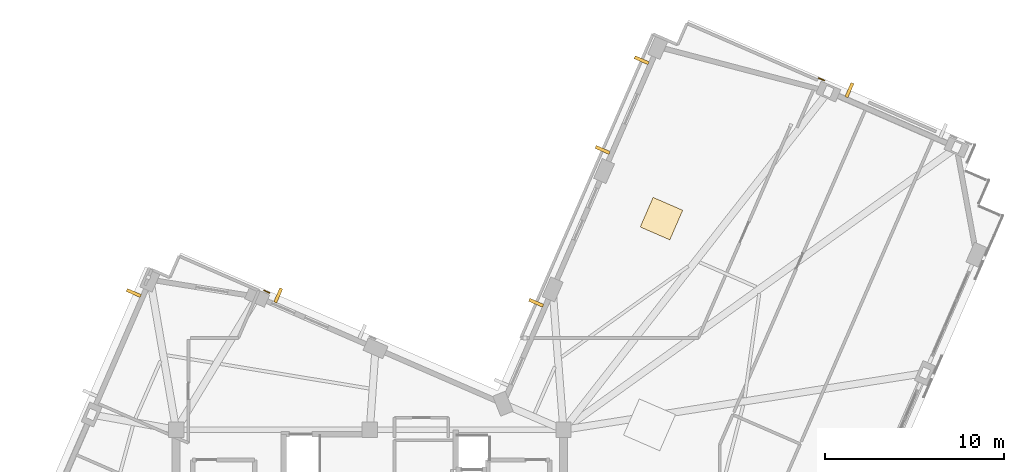
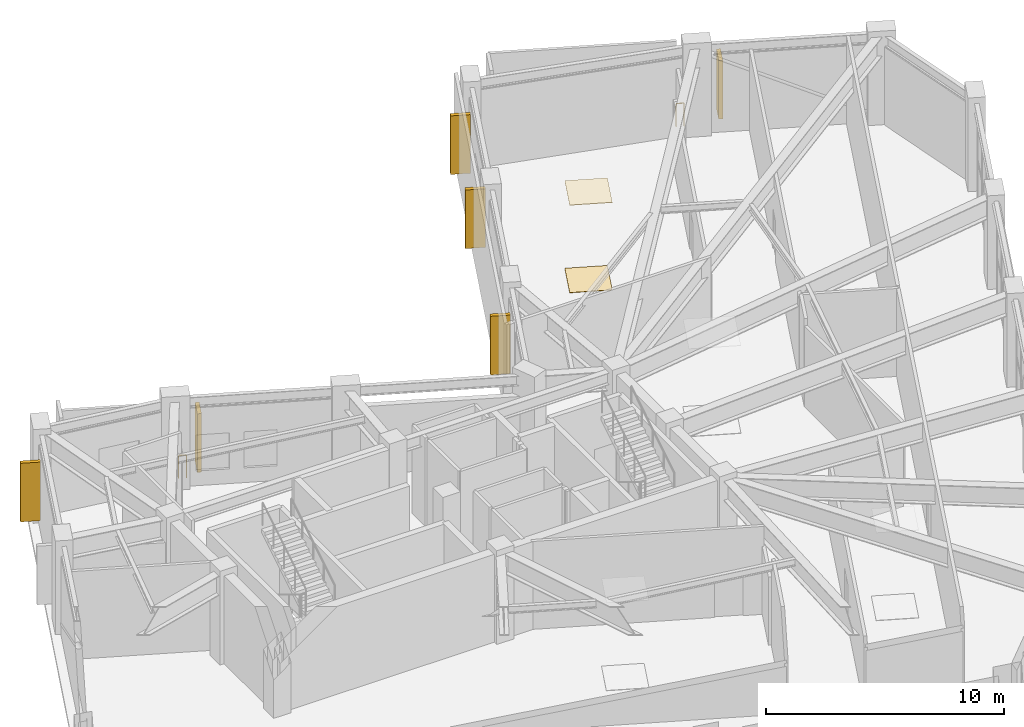
# One storey, part 15 of 16: 6 shading devices, 2 coverings, 2 railings.
"""IFC4 building model written with IfcOpenShell, lengths in metres."""

from ifc_helpers import new_model, si_unit, direction, frame, origin, origin_2d, place, context, subcontext, project, spatial, rectangle, circle, extrude, material, layer, layer_set, type_object, element, save


model = new_model("IFC4")

# Units and contexts
model_context = context("Model", 3, precision=1e-05, world=origin(), true_north=direction((0.0, 1.0)))
body_context = subcontext(model_context, "Body", "Model", "MODEL_VIEW")
ifc_project = project(units=[si_unit("LENGTHUNIT", "METRE"), si_unit("AREAUNIT", "SQUARE_METRE"), si_unit("VOLUMEUNIT", "CUBIC_METRE"), si_unit("PLANEANGLEUNIT", "RADIAN"), si_unit("MASSUNIT", "GRAM", prefix="KILO")], contexts=[model_context])

# Site, building, storey
site_placement = place(None, origin())
site = spatial("IfcSite", under=ifc_project, at=site_placement, CompositionType="ELEMENT")
building_placement = place(site_placement, origin())
building = spatial("IfcBuilding", under=site, at=building_placement, Name="Gaonmaruhae Medical Tower", CompositionType="ELEMENT")
storey_placement = place(building_placement, frame((0.0, 0.0, 333.39990234375)))
storey = spatial("IfcBuildingStorey", under=building, at=storey_placement, Name="L80", CompositionType="ELEMENT", Elevation=333.39990234375)

# Coverings
ifc_material_1 = material(Name="Acoustic mineral ceiling tile", Category="finish")
ifc_layer_1 = layer(ifc_material_1, 0.02490234375)
ifc_layer_set_1 = layer_set([ifc_layer_1], Name="Acoustic mineral ceiling tile")
covering_type_1 = type_object("IfcCoveringType", Name="CLG-01 Antimicrobial Acoustic Mineral Ceiling", PredefinedType="CEILING", material=ifc_layer_set_1)
covering_1_placement = place(storey_placement, frame((41.066162109375, 28.578857421875, 4.47509765625), z_axis=(0.0, 0.0, 1.0), x_axis=(0.398749068925, 0.917060074385, 0.0)))
element("IfcCovering", 1, at=covering_1_placement, inside=storey, type_object=covering_type_1, Name="L80 Clinical Room Acoustic Ceiling 3", PredefinedType="CEILING", context=body_context, shape_type="SweptSolid", body=[
    extrude(rectangle(XDim=1.800048828125, YDim=1.800048828125, at=origin_2d()), origin(), (0.0, 0.0, 1.0), 0.02490234375),
])
ifc_material_2 = material(Name="Seamless clinical vinyl flooring", Category="finish")
ifc_layer_2 = layer(ifc_material_2, 0.014892578125)
ifc_layer_set_2 = layer_set([ifc_layer_2], Name="Seamless clinical vinyl flooring")
covering_type_2 = type_object("IfcCoveringType", Name="FLR-01 Seamless Clinical Antistatic Vinyl Flooring", PredefinedType="FLOORING", material=ifc_layer_set_2)
covering_2_placement = place(storey_placement, frame((41.066162109375, 28.578857421875, 0.0), z_axis=(0.0, 0.0, 1.0), x_axis=(0.398749068925, 0.917060074385, 0.0)))
element("IfcCovering", 2, at=covering_2_placement, inside=storey, type_object=covering_type_2, Name="L80 Clinical Room Vinyl Flooring 3", PredefinedType="FLOORING", context=body_context, shape_type="SweptSolid", body=[
    extrude(rectangle(XDim=1.800048828125, YDim=1.800048828125, at=origin_2d()), origin(), (0.0, 0.0, 1.0), 0.014892578125),
])

# Railings
ifc_material_3 = material(Name="Stainless steel 316L and laminated safety glass", Category="steel")
ifc_layer_3 = layer(ifc_material_3, 0.080078125)
ifc_layer_set_3 = layer_set([ifc_layer_3], Name="Stainless steel 316L and laminated safety glass")
railing_type = type_object("IfcRailingType", Name="GD-120 Outdoor Terrace Safety Glass & Steel Balustrade", PredefinedType="BALUSTRADE", material=ifc_layer_set_3)
for number, where, name in (
    (3, (50.146240234375, 36.284912109375, 0.0), "L80 Perimeter Slab Edge Safety Balustrade 18"),
    (4, (19.203857421875, 24.440673828125, 0.0), "L80 Perimeter Slab Edge Safety Balustrade 20"),
):
    element("IfcRailing", number, at=place(storey_placement, frame(where)), inside=storey, type_object=railing_type, Name=name, PredefinedType="BALUSTRADE", context=body_context, shape_type="SweptSolid", body=[
        extrude(circle(Radius=0.02392578125, at=origin_2d()), frame((0.0, 0.0, 1.17578125), z_axis=(-0.917081518132, 0.398699748056, 0.0), x_axis=(-0.398699748056, -0.917081518132, 0.0)), (0.0, 0.0, 1.0), 0.338623046875),
        extrude(circle(Radius=0.02099609375, at=origin_2d()), origin(), (0.0, 0.0, 1.0), 1.15185546875),
        extrude(circle(Radius=0.02099609375, at=origin_2d()), frame((-0.310546875, 0.135009765625, 0.0)), (0.0, 0.0, 1.0), 1.15185546875),
    ])

# Shading devices
ifc_material_4 = material(Name="Pigmented coral precast concrete C45/55", Category="concrete")
shading_device_type = type_object("IfcShadingDeviceType", Name="SD-FIN1 Tower Vertical Coral Precast Shading Fin", PredefinedType="USERDEFINED", material=ifc_material_4)
for number, where, z_axis, x_axis, name in (
    (5, (51.55078125, 35.7451171875, 0.49267578125), (0.0, 0.0, 1.0), (0.917060074385, -0.398749068925, 0.0), "L80 Vertical Coral Precast Shading Fin E01"),
    (6, (37.786376953125, 32.4091796875, 0.49267578125), (0.0, 0.0, 1.0), (0.398765074582, 0.917053114761, 0.0), "L80 Vertical Coral Precast Shading Fin E03"),
    (7, (39.961669921875, 37.411865234375, 0.49267578125), (0.0, 0.0, 1.0), (0.398765074582, 0.917053114761, 0.0), "L80 Vertical Coral Precast Shading Fin E03B"),
    (8, (34.080078125, 23.885009765625, 0.49267578125), (0.0, 0.0, 1.0), (0.398749068925, 0.917060074385, 0.0), "L80 Vertical Coral Precast Shading Fin EN02B"),
    (9, (19.694091796875, 24.29833984375, 0.49267578125), (0.0, 0.0, 1.0), (0.917060074385, -0.398749068925, 0.0), "L80 Vertical Coral Precast Shading Fin NE01"),
    (10, (11.6357421875, 24.429931640625, 0.49267578125), (0.0, 0.0, 1.0), (0.398749068925, 0.917060074385, 0.0), "L80 Vertical Coral Precast Shading Fin N01B"),
):
    element("IfcShadingDevice", number, at=place(storey_placement, frame(where, z_axis=z_axis, x_axis=x_axis)), inside=storey, type_object=shading_device_type, Name=name, ObjectType="FIN", PredefinedType="USERDEFINED", context=body_context, shape_type="SweptSolid", body=[
        extrude(rectangle(XDim=0.179931640625, YDim=0.85009765625, at=origin_2d()), origin(), (0.0, 0.0, 1.0), 3.0),
    ])

save(model, "model.ifc")
